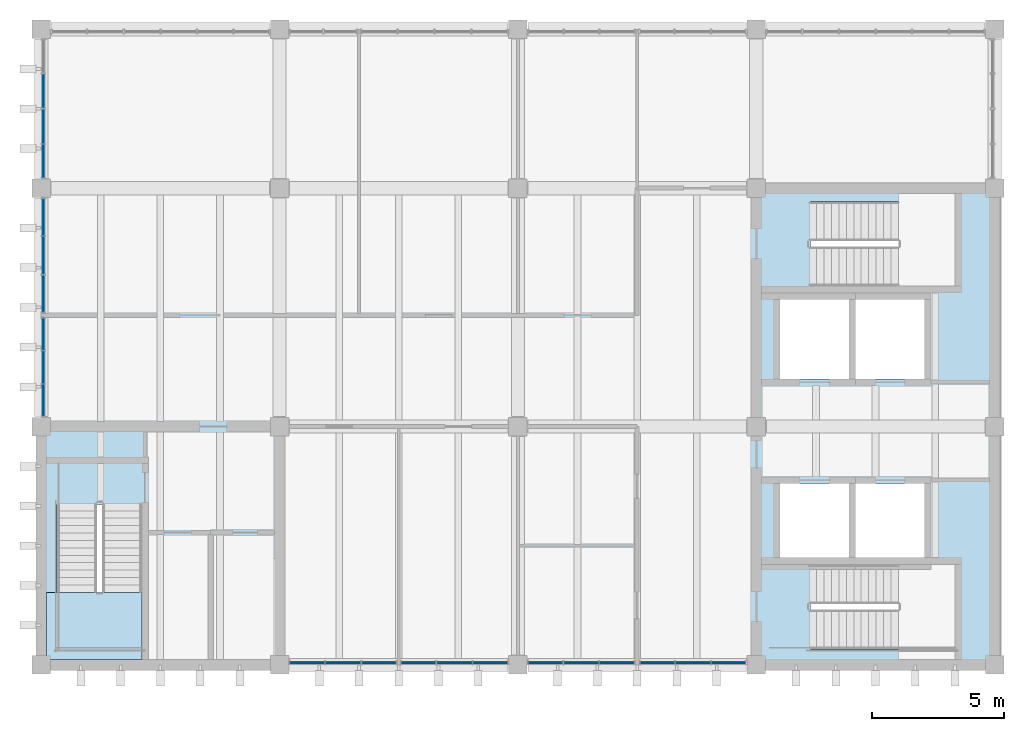
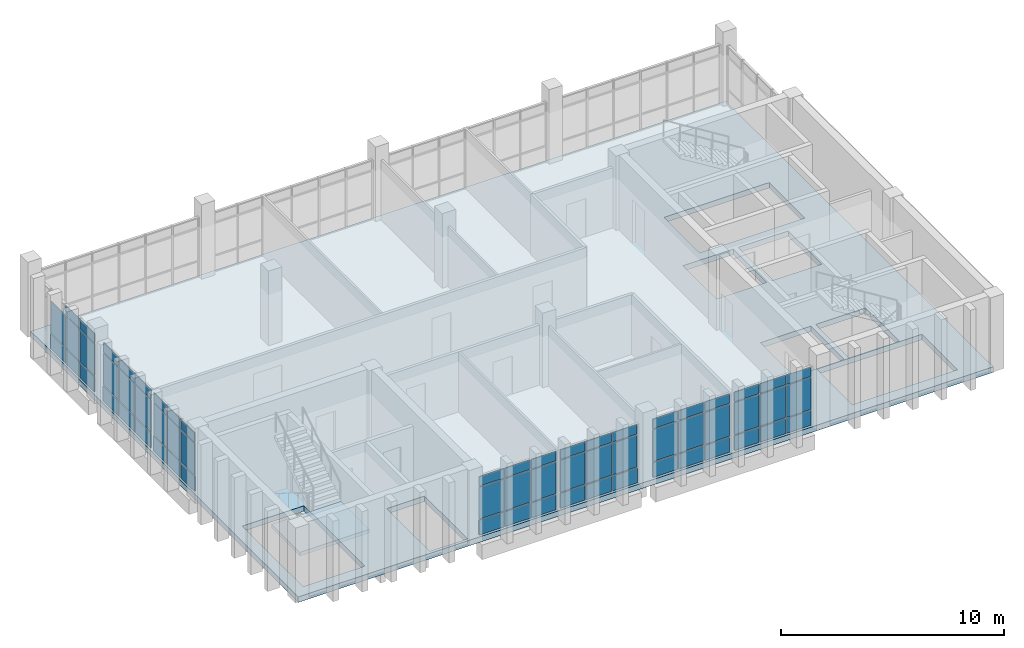
# One storey, part 7 of 14: 62 plates, 2 slabs, 8 elements without a shape of their own.
"""IFC4 building model written with IfcOpenShell, lengths in metres."""

from ifc_helpers import new_model, si_unit, direction, frame, origin, origin_2d, place, context, subcontext, project, spatial, polyline, rectangle, outline, extrude, material, layer, layer_set, type_object, element, aggregate, save


model = new_model("IFC4")

# Units and contexts
model_context = context("Model", 3, precision=1e-05, world=origin(), true_north=direction((0.0, 1.0)))
body_context = subcontext(model_context, "Body", "Model", "MODEL_VIEW")
ifc_project = project(units=[si_unit("LENGTHUNIT", "METRE"), si_unit("AREAUNIT", "SQUARE_METRE"), si_unit("VOLUMEUNIT", "CUBIC_METRE"), si_unit("PLANEANGLEUNIT", "RADIAN"), si_unit("MASSUNIT", "GRAM", prefix="KILO")], contexts=[model_context])

# Site, building, storey
site_placement = place(None, origin())
site = spatial("IfcSite", under=ifc_project, at=site_placement, CompositionType="ELEMENT")
building_placement = place(site_placement, origin())
building = spatial("IfcBuilding", under=site, at=building_placement, Name="Merrow Basin Faculty of Sciences", CompositionType="ELEMENT")
storey_placement = place(building_placement, frame((0.0, 0.0, 36.0)))
storey = spatial("IfcBuildingStorey", under=building, at=storey_placement, Name="L08", CompositionType="ELEMENT", Elevation=36.0)

# Slab
ifc_material_1 = material(Name="Concrete C40/50", Category="concrete")
ifc_layer_1 = layer(ifc_material_1, 0.300048828125)
ifc_layer_set_1 = layer_set([ifc_layer_1], Name="Floor slab 300 Concrete C40/50")
slab_type_1 = type_object("IfcSlabType", Name="Floor slab 300 Concrete C40/50", PredefinedType="FLOOR", material=ifc_layer_set_1)
slab_1_placement = place(storey_placement, frame((0.0, 0.0, -0.300048828125)))
element("IfcSlab", 1, at=slab_1_placement, inside=storey, type_object=slab_type_1, Name="SL11 floor L08 001", PredefinedType="FLOOR", context=body_context, shape_type="SweptSolid", body=[
    extrude(outline(polyline([(18.0, 166.0), (54.0, 166.0), (54.0, 142.0), (18.0, 142.0), (18.0, 166.0)]), holes=[polyline([(47.050048828125, 142.60009765625), (52.5, 142.60009765625), (52.5, 145.800048828125), (47.050048828125, 145.800048828125), (47.050048828125, 142.60009765625)]), polyline([(47.050048828125, 156.300048828125), (52.5, 156.300048828125), (52.5, 159.5), (47.050048828125, 159.5), (47.050048828125, 156.300048828125)]), polyline([(48.75, 145.85009765625), (51.35009765625, 145.85009765625), (51.35009765625, 148.85009765625), (48.75, 148.85009765625), (48.75, 145.85009765625)]), polyline([(48.75, 152.800048828125), (51.35009765625, 152.800048828125), (51.35009765625, 155.800048828125), (48.75, 155.800048828125), (48.75, 152.800048828125)]), polyline([(45.89990234375, 145.85009765625), (48.5, 145.85009765625), (48.5, 148.85009765625), (45.89990234375, 148.85009765625), (45.89990234375, 145.85009765625)]), polyline([(45.89990234375, 152.800048828125), (48.5, 152.800048828125), (48.5, 155.800048828125), (45.89990234375, 155.800048828125), (45.89990234375, 152.800048828125)]), polyline([(24.90087890625, 142.14990234375), (26.85009765625, 142.14990234375), (26.85009765625, 146.0), (24.90087890625, 146.0), (24.90087890625, 142.14990234375)]), polyline([(18.60009765625, 142.60009765625), (21.800048828125, 142.60009765625), (21.800048828125, 148.050048828125), (18.60009765625, 148.050048828125), (18.60009765625, 142.60009765625)])]), origin(), (0.0, 0.0, 1.0), 0.300048828125),
])

# Curtain wall, plates
ifc_material_2 = material(Name="Aluminium alloy 6063", Category="aluminium")
curtain_wall_type = type_object("IfcCurtainWallType", Name="Unitised curtain wall 160", PredefinedType="NOTDEFINED", material=ifc_material_2)
curtain_wall_1_placement = place(storey_placement, origin())
curtain_wall_1 = element("IfcCurtainWall", 2, at=curtain_wall_1_placement, inside=storey, type_object=curtain_wall_type, Name="W curtain wall L08 1", PredefinedType="NOTDEFINED")
ifc_material_3 = material(Name="Insulated aluminium spandrel panel", Category="aluminium")
ifc_layer_2 = layer(ifc_material_3, 0.052001953125)
ifc_layer_set_2 = layer_set([ifc_layer_2], Name="Insulated spandrel panel 52")
plate_type_1 = type_object("IfcPlateType", Name="Insulated spandrel panel 52", PredefinedType="CURTAIN_PANEL", material=ifc_layer_set_2)
plate_1_placement = place(storey_placement, frame((18.080078125, 151.994140625, 0.06005859375), z_axis=(0.0, 0.0, 1.0), x_axis=(0.0, 1.0, 0.0)))
plate_1 = element("IfcPlate", 3, at=plate_1_placement, type_object=plate_type_1, Name="CW3 panel 1.1", PredefinedType="CURTAIN_PANEL", context=body_context, shape_type="SweptSolid", body=[
    extrude(rectangle(XDim=1.168212890625, YDim=0.052001953125, at=origin_2d()), origin(), (0.0, 0.0, 1.0), 0.81005859375),
])
plate_2_placement = place(storey_placement, frame((18.080078125, 153.237548828125, 0.06005859375), z_axis=(0.0, 0.0, 1.0), x_axis=(0.0, 1.0, 0.0)))
plate_2 = element("IfcPlate", 4, at=plate_2_placement, type_object=plate_type_1, Name="CW3 panel 2.1", PredefinedType="CURTAIN_PANEL", context=body_context, shape_type="SweptSolid", body=[
    extrude(rectangle(XDim=1.1982421875, YDim=0.052001953125, at=origin_2d()), origin(), (0.0, 0.0, 1.0), 0.81005859375),
])
plate_3_placement = place(storey_placement, frame((18.080078125, 154.480712890625, 0.06005859375), z_axis=(0.0, 0.0, 1.0), x_axis=(0.0, 1.0, 0.0)))
plate_3 = element("IfcPlate", 5, at=plate_3_placement, type_object=plate_type_1, Name="CW3 panel 3.1", PredefinedType="CURTAIN_PANEL", context=body_context, shape_type="SweptSolid", body=[
    extrude(rectangle(XDim=1.168212890625, YDim=0.052001953125, at=origin_2d()), origin(), (0.0, 0.0, 1.0), 0.81005859375),
])

curtain_wall_2_placement = place(storey_placement, origin())
curtain_wall_2 = element("IfcCurtainWall", 6, at=curtain_wall_2_placement, inside=storey, type_object=curtain_wall_type, Name="W curtain wall L08 2", PredefinedType="NOTDEFINED")
plate_4_placement = place(storey_placement, frame((18.080078125, 156.019287109375, 0.06005859375), z_axis=(0.0, 0.0, 1.0), x_axis=(0.0, 1.0, 0.0)))
plate_4 = element("IfcPlate", 7, at=plate_4_placement, type_object=plate_type_1, Name="CW3 panel 1.1", PredefinedType="CURTAIN_PANEL", context=body_context, shape_type="SweptSolid", body=[
    extrude(rectangle(XDim=1.368408203125, YDim=0.052001953125, at=origin_2d()), origin(), (0.0, 0.0, 1.0), 0.81005859375),
])
plate_5_placement = place(storey_placement, frame((18.080078125, 157.46240234375, 0.06005859375), z_axis=(0.0, 0.0, 1.0), x_axis=(0.0, 1.0, 0.0)))
plate_5 = element("IfcPlate", 8, at=plate_5_placement, type_object=plate_type_1, Name="CW3 panel 2.1", PredefinedType="CURTAIN_PANEL", context=body_context, shape_type="SweptSolid", body=[
    extrude(rectangle(XDim=1.3984375, YDim=0.052001953125, at=origin_2d()), origin(), (0.0, 0.0, 1.0), 0.81005859375),
])
plate_6_placement = place(storey_placement, frame((18.080078125, 158.90576171875, 0.06005859375), z_axis=(0.0, 0.0, 1.0), x_axis=(0.0, 1.0, 0.0)))
plate_6 = element("IfcPlate", 9, at=plate_6_placement, type_object=plate_type_1, Name="CW3 panel 3.1", PredefinedType="CURTAIN_PANEL", context=body_context, shape_type="SweptSolid", body=[
    extrude(rectangle(XDim=1.368408203125, YDim=0.052001953125, at=origin_2d()), origin(), (0.0, 0.0, 1.0), 0.81005859375),
])

curtain_wall_3_placement = place(storey_placement, origin())
curtain_wall_3 = element("IfcCurtainWall", 10, at=curtain_wall_3_placement, inside=storey, type_object=curtain_wall_type, Name="W curtain wall L08 3", PredefinedType="NOTDEFINED")
plate_7_placement = place(storey_placement, frame((18.080078125, 161.027587890625, 0.06005859375), z_axis=(0.0, 0.0, 1.0), x_axis=(0.0, 1.0, 0.0)))
plate_7 = element("IfcPlate", 11, at=plate_7_placement, type_object=plate_type_1, Name="CW3 panel 1.1", PredefinedType="CURTAIN_PANEL", context=body_context, shape_type="SweptSolid", body=[
    extrude(rectangle(XDim=1.235107421875, YDim=0.052001953125, at=origin_2d()), origin(), (0.0, 0.0, 1.0), 0.81005859375),
])
plate_8_placement = place(storey_placement, frame((18.080078125, 162.33740234375, 0.06005859375), z_axis=(0.0, 0.0, 1.0), x_axis=(0.0, 1.0, 0.0)))
plate_8 = element("IfcPlate", 12, at=plate_8_placement, type_object=plate_type_1, Name="CW3 panel 2.1", PredefinedType="CURTAIN_PANEL", context=body_context, shape_type="SweptSolid", body=[
    extrude(rectangle(XDim=1.264892578125, YDim=0.052001953125, at=origin_2d()), origin(), (0.0, 0.0, 1.0), 0.81005859375),
])
plate_9_placement = place(storey_placement, frame((18.080078125, 163.66259765625, 0.06005859375), z_axis=(0.0, 0.0, 1.0), x_axis=(0.0, 1.0, 0.0)))
plate_9 = element("IfcPlate", 13, at=plate_9_placement, type_object=plate_type_1, Name="CW3 panel 3.1", PredefinedType="CURTAIN_PANEL", context=body_context, shape_type="SweptSolid", body=[
    extrude(rectangle(XDim=1.264892578125, YDim=0.052001953125, at=origin_2d()), origin(), (0.0, 0.0, 1.0), 0.81005859375),
])

curtain_wall_4_placement = place(storey_placement, origin())
curtain_wall_4 = element("IfcCurtainWall", 14, at=curtain_wall_4_placement, inside=storey, type_object=curtain_wall_type, Name="S curtain wall L08 1", PredefinedType="NOTDEFINED")
plate_10_placement = place(storey_placement, frame((28.04833984375, 142.080078125, 0.06005859375), z_axis=(0.0, 0.0, 1.0), x_axis=(1.0, 0.0, 0.0)))
plate_10 = element("IfcPlate", 15, at=plate_10_placement, type_object=plate_type_1, Name="CW3 panel 1.1", PredefinedType="CURTAIN_PANEL", context=body_context, shape_type="SweptSolid", body=[
    extrude(rectangle(XDim=1.276611328125, YDim=0.052001953125, at=origin_2d()), origin(), (0.0, 0.0, 1.0), 0.81005859375),
])
plate_11_placement = place(storey_placement, frame((29.39990234375, 142.080078125, 0.06005859375), z_axis=(0.0, 0.0, 1.0), x_axis=(1.0, 0.0, 0.0)))
plate_11 = element("IfcPlate", 16, at=plate_11_placement, type_object=plate_type_1, Name="CW3 panel 2.1", PredefinedType="CURTAIN_PANEL", context=body_context, shape_type="SweptSolid", body=[
    extrude(rectangle(XDim=1.306640625, YDim=0.052001953125, at=origin_2d()), origin(), (0.0, 0.0, 1.0), 0.81005859375),
])
plate_12_placement = place(storey_placement, frame((30.751708984375, 142.080078125, 0.06005859375), z_axis=(0.0, 0.0, 1.0), x_axis=(1.0, 0.0, 0.0)))
plate_12 = element("IfcPlate", 17, at=plate_12_placement, type_object=plate_type_1, Name="CW3 panel 3.1", PredefinedType="CURTAIN_PANEL", context=body_context, shape_type="SweptSolid", body=[
    extrude(rectangle(XDim=1.276611328125, YDim=0.052001953125, at=origin_2d()), origin(), (0.0, 0.0, 1.0), 0.81005859375),
])

curtain_wall_5_placement = place(storey_placement, origin())
curtain_wall_5 = element("IfcCurtainWall", 18, at=curtain_wall_5_placement, inside=storey, type_object=curtain_wall_type, Name="S curtain wall L08 2", PredefinedType="NOTDEFINED")
plate_13_placement = place(storey_placement, frame((32.248291015625, 142.080078125, 0.06005859375), z_axis=(0.0, 0.0, 1.0), x_axis=(1.0, 0.0, 0.0)))
plate_13 = element("IfcPlate", 19, at=plate_13_placement, type_object=plate_type_1, Name="CW3 panel 1.1", PredefinedType="CURTAIN_PANEL", context=body_context, shape_type="SweptSolid", body=[
    extrude(rectangle(XDim=1.276611328125, YDim=0.052001953125, at=origin_2d()), origin(), (0.0, 0.0, 1.0), 0.81005859375),
])
plate_14_placement = place(storey_placement, frame((33.60009765625, 142.080078125, 0.06005859375), z_axis=(0.0, 0.0, 1.0), x_axis=(1.0, 0.0, 0.0)))
plate_14 = element("IfcPlate", 20, at=plate_14_placement, type_object=plate_type_1, Name="CW3 panel 2.1", PredefinedType="CURTAIN_PANEL", context=body_context, shape_type="SweptSolid", body=[
    extrude(rectangle(XDim=1.306640625, YDim=0.052001953125, at=origin_2d()), origin(), (0.0, 0.0, 1.0), 0.81005859375),
])
plate_15_placement = place(storey_placement, frame((34.95166015625, 142.080078125, 0.06005859375), z_axis=(0.0, 0.0, 1.0), x_axis=(1.0, 0.0, 0.0)))
plate_15 = element("IfcPlate", 21, at=plate_15_placement, type_object=plate_type_1, Name="CW3 panel 3.1", PredefinedType="CURTAIN_PANEL", context=body_context, shape_type="SweptSolid", body=[
    extrude(rectangle(XDim=1.276611328125, YDim=0.052001953125, at=origin_2d()), origin(), (0.0, 0.0, 1.0), 0.81005859375),
])

curtain_wall_6_placement = place(storey_placement, origin())
curtain_wall_6 = element("IfcCurtainWall", 22, at=curtain_wall_6_placement, inside=storey, type_object=curtain_wall_type, Name="S curtain wall L08 3", PredefinedType="NOTDEFINED")
plate_16_placement = place(storey_placement, frame((37.044189453125, 142.080078125, 0.06005859375), z_axis=(0.0, 0.0, 1.0), x_axis=(1.0, 0.0, 0.0)))
plate_16 = element("IfcPlate", 23, at=plate_16_placement, type_object=plate_type_1, Name="CW3 panel 1.1", PredefinedType="CURTAIN_PANEL", context=body_context, shape_type="SweptSolid", body=[
    extrude(rectangle(XDim=1.268310546875, YDim=0.052001953125, at=origin_2d()), origin(), (0.0, 0.0, 1.0), 0.81005859375),
])
plate_17_placement = place(storey_placement, frame((38.387451171875, 142.080078125, 0.06005859375), z_axis=(0.0, 0.0, 1.0), x_axis=(1.0, 0.0, 0.0)))
plate_17 = element("IfcPlate", 24, at=plate_17_placement, type_object=plate_type_1, Name="CW3 panel 2.1", PredefinedType="CURTAIN_PANEL", context=body_context, shape_type="SweptSolid", body=[
    extrude(rectangle(XDim=1.29833984375, YDim=0.052001953125, at=origin_2d()), origin(), (0.0, 0.0, 1.0), 0.81005859375),
])
plate_18_placement = place(storey_placement, frame((39.730712890625, 142.080078125, 0.06005859375), z_axis=(0.0, 0.0, 1.0), x_axis=(1.0, 0.0, 0.0)))
plate_18 = element("IfcPlate", 25, at=plate_18_placement, type_object=plate_type_1, Name="CW3 panel 3.1", PredefinedType="CURTAIN_PANEL", context=body_context, shape_type="SweptSolid", body=[
    extrude(rectangle(XDim=1.268310546875, YDim=0.052001953125, at=origin_2d()), origin(), (0.0, 0.0, 1.0), 0.81005859375),
])

curtain_wall_7_placement = place(storey_placement, origin())
curtain_wall_7 = element("IfcCurtainWall", 26, at=curtain_wall_7_placement, inside=storey, type_object=curtain_wall_type, Name="S curtain wall L08 4", PredefinedType="NOTDEFINED")
plate_19_placement = place(storey_placement, frame((41.269287109375, 142.080078125, 0.06005859375), z_axis=(0.0, 0.0, 1.0), x_axis=(1.0, 0.0, 0.0)))
plate_19 = element("IfcPlate", 27, at=plate_19_placement, type_object=plate_type_1, Name="CW3 panel 1.1", PredefinedType="CURTAIN_PANEL", context=body_context, shape_type="SweptSolid", body=[
    extrude(rectangle(XDim=1.268310546875, YDim=0.052001953125, at=origin_2d()), origin(), (0.0, 0.0, 1.0), 0.81005859375),
])
plate_20_placement = place(storey_placement, frame((42.612548828125, 142.080078125, 0.06005859375), z_axis=(0.0, 0.0, 1.0), x_axis=(1.0, 0.0, 0.0)))
plate_20 = element("IfcPlate", 28, at=plate_20_placement, type_object=plate_type_1, Name="CW3 panel 2.1", PredefinedType="CURTAIN_PANEL", context=body_context, shape_type="SweptSolid", body=[
    extrude(rectangle(XDim=1.29833984375, YDim=0.052001953125, at=origin_2d()), origin(), (0.0, 0.0, 1.0), 0.81005859375),
])
plate_21_placement = place(storey_placement, frame((43.955810546875, 142.080078125, 0.06005859375), z_axis=(0.0, 0.0, 1.0), x_axis=(1.0, 0.0, 0.0)))
plate_21 = element("IfcPlate", 29, at=plate_21_placement, type_object=plate_type_1, Name="CW3 panel 3.1", PredefinedType="CURTAIN_PANEL", context=body_context, shape_type="SweptSolid", body=[
    extrude(rectangle(XDim=1.268310546875, YDim=0.052001953125, at=origin_2d()), origin(), (0.0, 0.0, 1.0), 0.81005859375),
])

# Plate
ifc_material_4 = material(Name="Low-E double glazing", Category="glass")
ifc_layer_3 = layer(ifc_material_4, 0.028076171875)
ifc_layer_set_3 = layer_set([ifc_layer_3], Name="Low-E double glazed panel 28")
plate_type_2 = type_object("IfcPlateType", Name="Low-E double glazed panel 28", PredefinedType="CURTAIN_PANEL", material=ifc_layer_set_3)
plate_22_placement = place(storey_placement, frame((18.080078125, 151.994140625, 0.93017578125), z_axis=(0.0, 0.0, 1.0), x_axis=(0.0, 1.0, 0.0)))
plate_22 = element("IfcPlate", 30, at=plate_22_placement, type_object=plate_type_2, Name="CW3 panel 1.2", PredefinedType="CURTAIN_PANEL", context=body_context, shape_type="SweptSolid", body=[
    extrude(rectangle(XDim=1.168212890625, YDim=0.028076171875, at=origin_2d()), origin(), (0.0, 0.0, 1.0), 1.739990234375),
])

plate_23_placement = place(storey_placement, frame((18.080078125, 151.994140625, 2.72998046875), z_axis=(0.0, 0.0, 1.0), x_axis=(0.0, 1.0, 0.0)))
plate_23 = element("IfcPlate", 31, at=plate_23_placement, type_object=plate_type_2, Name="CW3 panel 1.3", PredefinedType="CURTAIN_PANEL", context=body_context, shape_type="SweptSolid", body=[
    extrude(rectangle(XDim=1.168212890625, YDim=0.028076171875, at=origin_2d()), origin(), (0.0, 0.0, 1.0), 0.510009765625),
])

plate_24_placement = place(storey_placement, frame((18.080078125, 153.237548828125, 0.93017578125), z_axis=(0.0, 0.0, 1.0), x_axis=(0.0, 1.0, 0.0)))
plate_24 = element("IfcPlate", 32, at=plate_24_placement, type_object=plate_type_2, Name="CW3 panel 2.2", PredefinedType="CURTAIN_PANEL", context=body_context, shape_type="SweptSolid", body=[
    extrude(rectangle(XDim=1.1982421875, YDim=0.028076171875, at=origin_2d()), origin(), (0.0, 0.0, 1.0), 1.739990234375),
])

plate_25_placement = place(storey_placement, frame((18.080078125, 153.237548828125, 2.72998046875), z_axis=(0.0, 0.0, 1.0), x_axis=(0.0, 1.0, 0.0)))
plate_25 = element("IfcPlate", 33, at=plate_25_placement, type_object=plate_type_2, Name="CW3 panel 2.3", PredefinedType="CURTAIN_PANEL", context=body_context, shape_type="SweptSolid", body=[
    extrude(rectangle(XDim=1.1982421875, YDim=0.028076171875, at=origin_2d()), origin(), (0.0, 0.0, 1.0), 0.510009765625),
])

plate_26_placement = place(storey_placement, frame((18.080078125, 154.480712890625, 0.93017578125), z_axis=(0.0, 0.0, 1.0), x_axis=(0.0, 1.0, 0.0)))
plate_26 = element("IfcPlate", 34, at=plate_26_placement, type_object=plate_type_2, Name="CW3 panel 3.2", PredefinedType="CURTAIN_PANEL", context=body_context, shape_type="SweptSolid", body=[
    extrude(rectangle(XDim=1.168212890625, YDim=0.028076171875, at=origin_2d()), origin(), (0.0, 0.0, 1.0), 1.739990234375),
])

plate_27_placement = place(storey_placement, frame((18.080078125, 154.480712890625, 2.72998046875), z_axis=(0.0, 0.0, 1.0), x_axis=(0.0, 1.0, 0.0)))
plate_27 = element("IfcPlate", 35, at=plate_27_placement, type_object=plate_type_2, Name="CW3 panel 3.3", PredefinedType="CURTAIN_PANEL", context=body_context, shape_type="SweptSolid", body=[
    extrude(rectangle(XDim=1.168212890625, YDim=0.028076171875, at=origin_2d()), origin(), (0.0, 0.0, 1.0), 0.510009765625),
])

aggregate(curtain_wall_1, [plate_1, plate_22, plate_23, plate_2, plate_24, plate_25, plate_3, plate_26, plate_27])

plate_28_placement = place(storey_placement, frame((18.080078125, 156.019287109375, 0.93017578125), z_axis=(0.0, 0.0, 1.0), x_axis=(0.0, 1.0, 0.0)))
plate_28 = element("IfcPlate", 36, at=plate_28_placement, type_object=plate_type_2, Name="CW3 panel 1.2", PredefinedType="CURTAIN_PANEL", context=body_context, shape_type="SweptSolid", body=[
    extrude(rectangle(XDim=1.368408203125, YDim=0.028076171875, at=origin_2d()), origin(), (0.0, 0.0, 1.0), 1.739990234375),
])

plate_29_placement = place(storey_placement, frame((18.080078125, 156.019287109375, 2.72998046875), z_axis=(0.0, 0.0, 1.0), x_axis=(0.0, 1.0, 0.0)))
plate_29 = element("IfcPlate", 37, at=plate_29_placement, type_object=plate_type_2, Name="CW3 panel 1.3", PredefinedType="CURTAIN_PANEL", context=body_context, shape_type="SweptSolid", body=[
    extrude(rectangle(XDim=1.368408203125, YDim=0.028076171875, at=origin_2d()), origin(), (0.0, 0.0, 1.0), 0.510009765625),
])

plate_30_placement = place(storey_placement, frame((18.080078125, 157.46240234375, 0.93017578125), z_axis=(0.0, 0.0, 1.0), x_axis=(0.0, 1.0, 0.0)))
plate_30 = element("IfcPlate", 38, at=plate_30_placement, type_object=plate_type_2, Name="CW3 panel 2.2", PredefinedType="CURTAIN_PANEL", context=body_context, shape_type="SweptSolid", body=[
    extrude(rectangle(XDim=1.3984375, YDim=0.028076171875, at=origin_2d()), origin(), (0.0, 0.0, 1.0), 1.739990234375),
])

plate_31_placement = place(storey_placement, frame((18.080078125, 157.46240234375, 2.72998046875), z_axis=(0.0, 0.0, 1.0), x_axis=(0.0, 1.0, 0.0)))
plate_31 = element("IfcPlate", 39, at=plate_31_placement, type_object=plate_type_2, Name="CW3 panel 2.3", PredefinedType="CURTAIN_PANEL", context=body_context, shape_type="SweptSolid", body=[
    extrude(rectangle(XDim=1.3984375, YDim=0.028076171875, at=origin_2d()), origin(), (0.0, 0.0, 1.0), 0.510009765625),
])

plate_32_placement = place(storey_placement, frame((18.080078125, 158.90576171875, 0.93017578125), z_axis=(0.0, 0.0, 1.0), x_axis=(0.0, 1.0, 0.0)))
plate_32 = element("IfcPlate", 40, at=plate_32_placement, type_object=plate_type_2, Name="CW3 panel 3.2", PredefinedType="CURTAIN_PANEL", context=body_context, shape_type="SweptSolid", body=[
    extrude(rectangle(XDim=1.368408203125, YDim=0.028076171875, at=origin_2d()), origin(), (0.0, 0.0, 1.0), 1.739990234375),
])

plate_33_placement = place(storey_placement, frame((18.080078125, 158.90576171875, 2.72998046875), z_axis=(0.0, 0.0, 1.0), x_axis=(0.0, 1.0, 0.0)))
plate_33 = element("IfcPlate", 41, at=plate_33_placement, type_object=plate_type_2, Name="CW3 panel 3.3", PredefinedType="CURTAIN_PANEL", context=body_context, shape_type="SweptSolid", body=[
    extrude(rectangle(XDim=1.368408203125, YDim=0.028076171875, at=origin_2d()), origin(), (0.0, 0.0, 1.0), 0.510009765625),
])

aggregate(curtain_wall_2, [plate_4, plate_28, plate_29, plate_5, plate_30, plate_31, plate_6, plate_32, plate_33])

plate_34_placement = place(storey_placement, frame((18.080078125, 161.027587890625, 0.93017578125), z_axis=(0.0, 0.0, 1.0), x_axis=(0.0, 1.0, 0.0)))
plate_34 = element("IfcPlate", 42, at=plate_34_placement, type_object=plate_type_2, Name="CW3 panel 1.2", PredefinedType="CURTAIN_PANEL", context=body_context, shape_type="SweptSolid", body=[
    extrude(rectangle(XDim=1.235107421875, YDim=0.028076171875, at=origin_2d()), origin(), (0.0, 0.0, 1.0), 1.739990234375),
])

plate_35_placement = place(storey_placement, frame((18.080078125, 161.027587890625, 2.72998046875), z_axis=(0.0, 0.0, 1.0), x_axis=(0.0, 1.0, 0.0)))
plate_35 = element("IfcPlate", 43, at=plate_35_placement, type_object=plate_type_2, Name="CW3 panel 1.3", PredefinedType="CURTAIN_PANEL", context=body_context, shape_type="SweptSolid", body=[
    extrude(rectangle(XDim=1.235107421875, YDim=0.028076171875, at=origin_2d()), origin(), (0.0, 0.0, 1.0), 0.510009765625),
])

plate_36_placement = place(storey_placement, frame((18.080078125, 162.33740234375, 0.93017578125), z_axis=(0.0, 0.0, 1.0), x_axis=(0.0, 1.0, 0.0)))
plate_36 = element("IfcPlate", 44, at=plate_36_placement, type_object=plate_type_2, Name="CW3 panel 2.2", PredefinedType="CURTAIN_PANEL", context=body_context, shape_type="SweptSolid", body=[
    extrude(rectangle(XDim=1.264892578125, YDim=0.028076171875, at=origin_2d()), origin(), (0.0, 0.0, 1.0), 1.739990234375),
])

plate_37_placement = place(storey_placement, frame((18.080078125, 162.33740234375, 2.72998046875), z_axis=(0.0, 0.0, 1.0), x_axis=(0.0, 1.0, 0.0)))
plate_37 = element("IfcPlate", 45, at=plate_37_placement, type_object=plate_type_2, Name="CW3 panel 2.3", PredefinedType="CURTAIN_PANEL", context=body_context, shape_type="SweptSolid", body=[
    extrude(rectangle(XDim=1.264892578125, YDim=0.028076171875, at=origin_2d()), origin(), (0.0, 0.0, 1.0), 0.510009765625),
])

plate_38_placement = place(storey_placement, frame((18.080078125, 163.66259765625, 0.93017578125), z_axis=(0.0, 0.0, 1.0), x_axis=(0.0, 1.0, 0.0)))
plate_38 = element("IfcPlate", 46, at=plate_38_placement, type_object=plate_type_2, Name="CW3 panel 3.2", PredefinedType="CURTAIN_PANEL", context=body_context, shape_type="SweptSolid", body=[
    extrude(rectangle(XDim=1.264892578125, YDim=0.028076171875, at=origin_2d()), origin(), (0.0, 0.0, 1.0), 1.739990234375),
])

aggregate(curtain_wall_3, [plate_7, plate_34, plate_35, plate_8, plate_36, plate_37, plate_9, plate_38])

plate_39_placement = place(storey_placement, frame((28.04833984375, 142.080078125, 0.93017578125), z_axis=(0.0, 0.0, 1.0), x_axis=(1.0, 0.0, 0.0)))
plate_39 = element("IfcPlate", 47, at=plate_39_placement, type_object=plate_type_2, Name="CW3 panel 1.2", PredefinedType="CURTAIN_PANEL", context=body_context, shape_type="SweptSolid", body=[
    extrude(rectangle(XDim=1.276611328125, YDim=0.028076171875, at=origin_2d()), origin(), (0.0, 0.0, 1.0), 1.739990234375),
])

plate_40_placement = place(storey_placement, frame((28.04833984375, 142.080078125, 2.72998046875), z_axis=(0.0, 0.0, 1.0), x_axis=(1.0, 0.0, 0.0)))
plate_40 = element("IfcPlate", 48, at=plate_40_placement, type_object=plate_type_2, Name="CW3 panel 1.3", PredefinedType="CURTAIN_PANEL", context=body_context, shape_type="SweptSolid", body=[
    extrude(rectangle(XDim=1.276611328125, YDim=0.028076171875, at=origin_2d()), origin(), (0.0, 0.0, 1.0), 0.510009765625),
])

plate_41_placement = place(storey_placement, frame((29.39990234375, 142.080078125, 0.93017578125), z_axis=(0.0, 0.0, 1.0), x_axis=(1.0, 0.0, 0.0)))
plate_41 = element("IfcPlate", 49, at=plate_41_placement, type_object=plate_type_2, Name="CW3 panel 2.2", PredefinedType="CURTAIN_PANEL", context=body_context, shape_type="SweptSolid", body=[
    extrude(rectangle(XDim=1.306640625, YDim=0.028076171875, at=origin_2d()), origin(), (0.0, 0.0, 1.0), 1.739990234375),
])

plate_42_placement = place(storey_placement, frame((29.39990234375, 142.080078125, 2.72998046875), z_axis=(0.0, 0.0, 1.0), x_axis=(1.0, 0.0, 0.0)))
plate_42 = element("IfcPlate", 50, at=plate_42_placement, type_object=plate_type_2, Name="CW3 panel 2.3", PredefinedType="CURTAIN_PANEL", context=body_context, shape_type="SweptSolid", body=[
    extrude(rectangle(XDim=1.306640625, YDim=0.028076171875, at=origin_2d()), origin(), (0.0, 0.0, 1.0), 0.510009765625),
])

plate_43_placement = place(storey_placement, frame((30.751708984375, 142.080078125, 0.93017578125), z_axis=(0.0, 0.0, 1.0), x_axis=(1.0, 0.0, 0.0)))
plate_43 = element("IfcPlate", 51, at=plate_43_placement, type_object=plate_type_2, Name="CW3 panel 3.2", PredefinedType="CURTAIN_PANEL", context=body_context, shape_type="SweptSolid", body=[
    extrude(rectangle(XDim=1.276611328125, YDim=0.028076171875, at=origin_2d()), origin(), (0.0, 0.0, 1.0), 1.739990234375),
])

plate_44_placement = place(storey_placement, frame((30.751708984375, 142.080078125, 2.72998046875), z_axis=(0.0, 0.0, 1.0), x_axis=(1.0, 0.0, 0.0)))
plate_44 = element("IfcPlate", 52, at=plate_44_placement, type_object=plate_type_2, Name="CW3 panel 3.3", PredefinedType="CURTAIN_PANEL", context=body_context, shape_type="SweptSolid", body=[
    extrude(rectangle(XDim=1.276611328125, YDim=0.028076171875, at=origin_2d()), origin(), (0.0, 0.0, 1.0), 0.510009765625),
])

aggregate(curtain_wall_4, [plate_10, plate_39, plate_40, plate_11, plate_41, plate_42, plate_12, plate_43, plate_44])

plate_45_placement = place(storey_placement, frame((32.248291015625, 142.080078125, 0.93017578125), z_axis=(0.0, 0.0, 1.0), x_axis=(1.0, 0.0, 0.0)))
plate_45 = element("IfcPlate", 53, at=plate_45_placement, type_object=plate_type_2, Name="CW3 panel 1.2", PredefinedType="CURTAIN_PANEL", context=body_context, shape_type="SweptSolid", body=[
    extrude(rectangle(XDim=1.276611328125, YDim=0.028076171875, at=origin_2d()), origin(), (0.0, 0.0, 1.0), 1.739990234375),
])

plate_46_placement = place(storey_placement, frame((32.248291015625, 142.080078125, 2.72998046875), z_axis=(0.0, 0.0, 1.0), x_axis=(1.0, 0.0, 0.0)))
plate_46 = element("IfcPlate", 54, at=plate_46_placement, type_object=plate_type_2, Name="CW3 panel 1.3", PredefinedType="CURTAIN_PANEL", context=body_context, shape_type="SweptSolid", body=[
    extrude(rectangle(XDim=1.276611328125, YDim=0.028076171875, at=origin_2d()), origin(), (0.0, 0.0, 1.0), 0.510009765625),
])

plate_47_placement = place(storey_placement, frame((33.60009765625, 142.080078125, 0.93017578125), z_axis=(0.0, 0.0, 1.0), x_axis=(1.0, 0.0, 0.0)))
plate_47 = element("IfcPlate", 55, at=plate_47_placement, type_object=plate_type_2, Name="CW3 panel 2.2", PredefinedType="CURTAIN_PANEL", context=body_context, shape_type="SweptSolid", body=[
    extrude(rectangle(XDim=1.306640625, YDim=0.028076171875, at=origin_2d()), origin(), (0.0, 0.0, 1.0), 1.739990234375),
])

plate_48_placement = place(storey_placement, frame((33.60009765625, 142.080078125, 2.72998046875), z_axis=(0.0, 0.0, 1.0), x_axis=(1.0, 0.0, 0.0)))
plate_48 = element("IfcPlate", 56, at=plate_48_placement, type_object=plate_type_2, Name="CW3 panel 2.3", PredefinedType="CURTAIN_PANEL", context=body_context, shape_type="SweptSolid", body=[
    extrude(rectangle(XDim=1.306640625, YDim=0.028076171875, at=origin_2d()), origin(), (0.0, 0.0, 1.0), 0.510009765625),
])

plate_49_placement = place(storey_placement, frame((34.95166015625, 142.080078125, 0.93017578125), z_axis=(0.0, 0.0, 1.0), x_axis=(1.0, 0.0, 0.0)))
plate_49 = element("IfcPlate", 57, at=plate_49_placement, type_object=plate_type_2, Name="CW3 panel 3.2", PredefinedType="CURTAIN_PANEL", context=body_context, shape_type="SweptSolid", body=[
    extrude(rectangle(XDim=1.276611328125, YDim=0.028076171875, at=origin_2d()), origin(), (0.0, 0.0, 1.0), 1.739990234375),
])

plate_50_placement = place(storey_placement, frame((34.95166015625, 142.080078125, 2.72998046875), z_axis=(0.0, 0.0, 1.0), x_axis=(1.0, 0.0, 0.0)))
plate_50 = element("IfcPlate", 58, at=plate_50_placement, type_object=plate_type_2, Name="CW3 panel 3.3", PredefinedType="CURTAIN_PANEL", context=body_context, shape_type="SweptSolid", body=[
    extrude(rectangle(XDim=1.276611328125, YDim=0.028076171875, at=origin_2d()), origin(), (0.0, 0.0, 1.0), 0.510009765625),
])

aggregate(curtain_wall_5, [plate_13, plate_45, plate_46, plate_14, plate_47, plate_48, plate_15, plate_49, plate_50])

plate_51_placement = place(storey_placement, frame((37.044189453125, 142.080078125, 0.93017578125), z_axis=(0.0, 0.0, 1.0), x_axis=(1.0, 0.0, 0.0)))
plate_51 = element("IfcPlate", 59, at=plate_51_placement, type_object=plate_type_2, Name="CW3 panel 1.2", PredefinedType="CURTAIN_PANEL", context=body_context, shape_type="SweptSolid", body=[
    extrude(rectangle(XDim=1.268310546875, YDim=0.028076171875, at=origin_2d()), origin(), (0.0, 0.0, 1.0), 1.739990234375),
])

plate_52_placement = place(storey_placement, frame((37.044189453125, 142.080078125, 2.72998046875), z_axis=(0.0, 0.0, 1.0), x_axis=(1.0, 0.0, 0.0)))
plate_52 = element("IfcPlate", 60, at=plate_52_placement, type_object=plate_type_2, Name="CW3 panel 1.3", PredefinedType="CURTAIN_PANEL", context=body_context, shape_type="SweptSolid", body=[
    extrude(rectangle(XDim=1.268310546875, YDim=0.028076171875, at=origin_2d()), origin(), (0.0, 0.0, 1.0), 0.510009765625),
])

plate_53_placement = place(storey_placement, frame((38.387451171875, 142.080078125, 0.93017578125), z_axis=(0.0, 0.0, 1.0), x_axis=(1.0, 0.0, 0.0)))
plate_53 = element("IfcPlate", 61, at=plate_53_placement, type_object=plate_type_2, Name="CW3 panel 2.2", PredefinedType="CURTAIN_PANEL", context=body_context, shape_type="SweptSolid", body=[
    extrude(rectangle(XDim=1.29833984375, YDim=0.028076171875, at=origin_2d()), origin(), (0.0, 0.0, 1.0), 1.739990234375),
])

plate_54_placement = place(storey_placement, frame((38.387451171875, 142.080078125, 2.72998046875), z_axis=(0.0, 0.0, 1.0), x_axis=(1.0, 0.0, 0.0)))
plate_54 = element("IfcPlate", 62, at=plate_54_placement, type_object=plate_type_2, Name="CW3 panel 2.3", PredefinedType="CURTAIN_PANEL", context=body_context, shape_type="SweptSolid", body=[
    extrude(rectangle(XDim=1.29833984375, YDim=0.028076171875, at=origin_2d()), origin(), (0.0, 0.0, 1.0), 0.510009765625),
])

plate_55_placement = place(storey_placement, frame((39.730712890625, 142.080078125, 0.93017578125), z_axis=(0.0, 0.0, 1.0), x_axis=(1.0, 0.0, 0.0)))
plate_55 = element("IfcPlate", 63, at=plate_55_placement, type_object=plate_type_2, Name="CW3 panel 3.2", PredefinedType="CURTAIN_PANEL", context=body_context, shape_type="SweptSolid", body=[
    extrude(rectangle(XDim=1.268310546875, YDim=0.028076171875, at=origin_2d()), origin(), (0.0, 0.0, 1.0), 1.739990234375),
])

plate_56_placement = place(storey_placement, frame((39.730712890625, 142.080078125, 2.72998046875), z_axis=(0.0, 0.0, 1.0), x_axis=(1.0, 0.0, 0.0)))
plate_56 = element("IfcPlate", 64, at=plate_56_placement, type_object=plate_type_2, Name="CW3 panel 3.3", PredefinedType="CURTAIN_PANEL", context=body_context, shape_type="SweptSolid", body=[
    extrude(rectangle(XDim=1.268310546875, YDim=0.028076171875, at=origin_2d()), origin(), (0.0, 0.0, 1.0), 0.510009765625),
])

aggregate(curtain_wall_6, [plate_16, plate_51, plate_52, plate_17, plate_53, plate_54, plate_18, plate_55, plate_56])

plate_57_placement = place(storey_placement, frame((41.269287109375, 142.080078125, 0.93017578125), z_axis=(0.0, 0.0, 1.0), x_axis=(1.0, 0.0, 0.0)))
plate_57 = element("IfcPlate", 65, at=plate_57_placement, type_object=plate_type_2, Name="CW3 panel 1.2", PredefinedType="CURTAIN_PANEL", context=body_context, shape_type="SweptSolid", body=[
    extrude(rectangle(XDim=1.268310546875, YDim=0.028076171875, at=origin_2d()), origin(), (0.0, 0.0, 1.0), 1.739990234375),
])

plate_58_placement = place(storey_placement, frame((41.269287109375, 142.080078125, 2.72998046875), z_axis=(0.0, 0.0, 1.0), x_axis=(1.0, 0.0, 0.0)))
plate_58 = element("IfcPlate", 66, at=plate_58_placement, type_object=plate_type_2, Name="CW3 panel 1.3", PredefinedType="CURTAIN_PANEL", context=body_context, shape_type="SweptSolid", body=[
    extrude(rectangle(XDim=1.268310546875, YDim=0.028076171875, at=origin_2d()), origin(), (0.0, 0.0, 1.0), 0.510009765625),
])

plate_59_placement = place(storey_placement, frame((42.612548828125, 142.080078125, 0.93017578125), z_axis=(0.0, 0.0, 1.0), x_axis=(1.0, 0.0, 0.0)))
plate_59 = element("IfcPlate", 67, at=plate_59_placement, type_object=plate_type_2, Name="CW3 panel 2.2", PredefinedType="CURTAIN_PANEL", context=body_context, shape_type="SweptSolid", body=[
    extrude(rectangle(XDim=1.29833984375, YDim=0.028076171875, at=origin_2d()), origin(), (0.0, 0.0, 1.0), 1.739990234375),
])

plate_60_placement = place(storey_placement, frame((42.612548828125, 142.080078125, 2.72998046875), z_axis=(0.0, 0.0, 1.0), x_axis=(1.0, 0.0, 0.0)))
plate_60 = element("IfcPlate", 68, at=plate_60_placement, type_object=plate_type_2, Name="CW3 panel 2.3", PredefinedType="CURTAIN_PANEL", context=body_context, shape_type="SweptSolid", body=[
    extrude(rectangle(XDim=1.29833984375, YDim=0.028076171875, at=origin_2d()), origin(), (0.0, 0.0, 1.0), 0.510009765625),
])

plate_61_placement = place(storey_placement, frame((43.955810546875, 142.080078125, 0.93017578125), z_axis=(0.0, 0.0, 1.0), x_axis=(1.0, 0.0, 0.0)))
plate_61 = element("IfcPlate", 69, at=plate_61_placement, type_object=plate_type_2, Name="CW3 panel 3.2", PredefinedType="CURTAIN_PANEL", context=body_context, shape_type="SweptSolid", body=[
    extrude(rectangle(XDim=1.268310546875, YDim=0.028076171875, at=origin_2d()), origin(), (0.0, 0.0, 1.0), 1.739990234375),
])

plate_62_placement = place(storey_placement, frame((43.955810546875, 142.080078125, 2.72998046875), z_axis=(0.0, 0.0, 1.0), x_axis=(1.0, 0.0, 0.0)))
plate_62 = element("IfcPlate", 70, at=plate_62_placement, type_object=plate_type_2, Name="CW3 panel 3.3", PredefinedType="CURTAIN_PANEL", context=body_context, shape_type="SweptSolid", body=[
    extrude(rectangle(XDim=1.268310546875, YDim=0.028076171875, at=origin_2d()), origin(), (0.0, 0.0, 1.0), 0.510009765625),
])

aggregate(curtain_wall_7, [plate_19, plate_57, plate_58, plate_20, plate_59, plate_60, plate_21, plate_61, plate_62])

# Stair, slab
ifc_material_5 = material(Name="Concrete C40/50", Category="concrete")
stair_type = type_object("IfcStairType", Name="Concrete dog-leg stair Concrete C40/50", PredefinedType="HALF_TURN_STAIR", material=ifc_material_5)
stair_placement = place(storey_placement, origin())
stair = element("IfcStair", 71, at=stair_placement, inside=storey, type_object=stair_type, Name="L08 Exit stair W", PredefinedType="HALF_TURN_STAIR")
ifc_material_6 = material(Name="Concrete C40/50", Category="concrete")
ifc_layer_4 = layer(ifc_material_6, 0.199951171875)
ifc_layer_set_4 = layer_set([ifc_layer_4], Name="Stair landing 200 Concrete C40/50")
slab_type_2 = type_object("IfcSlabType", Name="Stair landing 200 Concrete C40/50", PredefinedType="LANDING", material=ifc_layer_set_4)
slab_2_placement = place(storey_placement, frame((0.0, 0.0, 2.050048828125)))
slab_2 = element("IfcSlab", 72, at=slab_2_placement, type_object=slab_type_2, Name="ST-V5-W landing 1", PredefinedType="LANDING", context=body_context, shape_type="SweptSolid", body=[
    extrude(outline(polyline([(18.199951171875, 142.199951171875), (21.800048828125, 142.199951171875), (21.800048828125, 144.739990234375), (18.199951171875, 144.739990234375), (18.199951171875, 142.199951171875)])), origin(), (0.0, 0.0, 1.0), 0.199951171875),
])
aggregate(stair, [slab_2])

save(model, "model.ifc")
